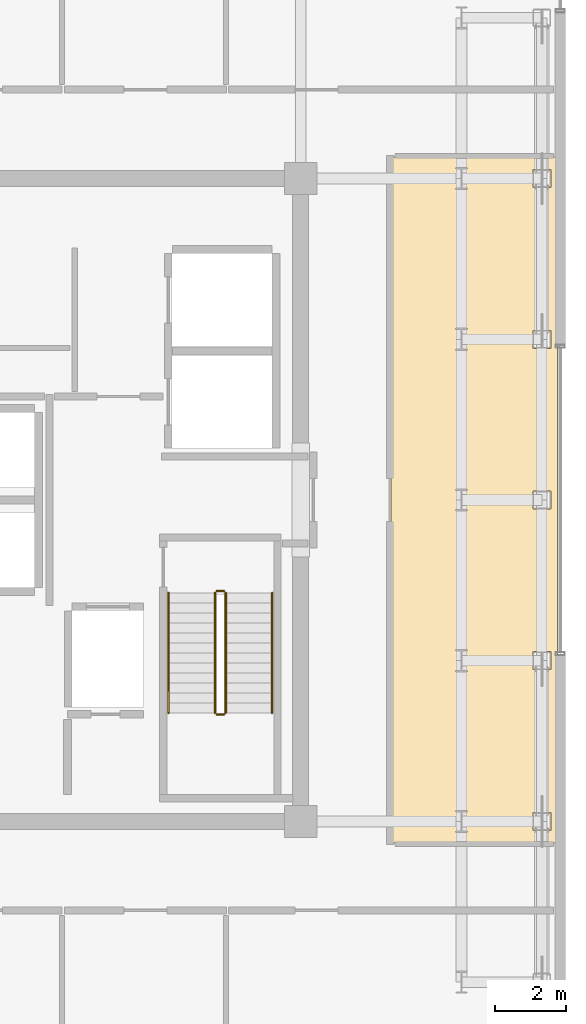
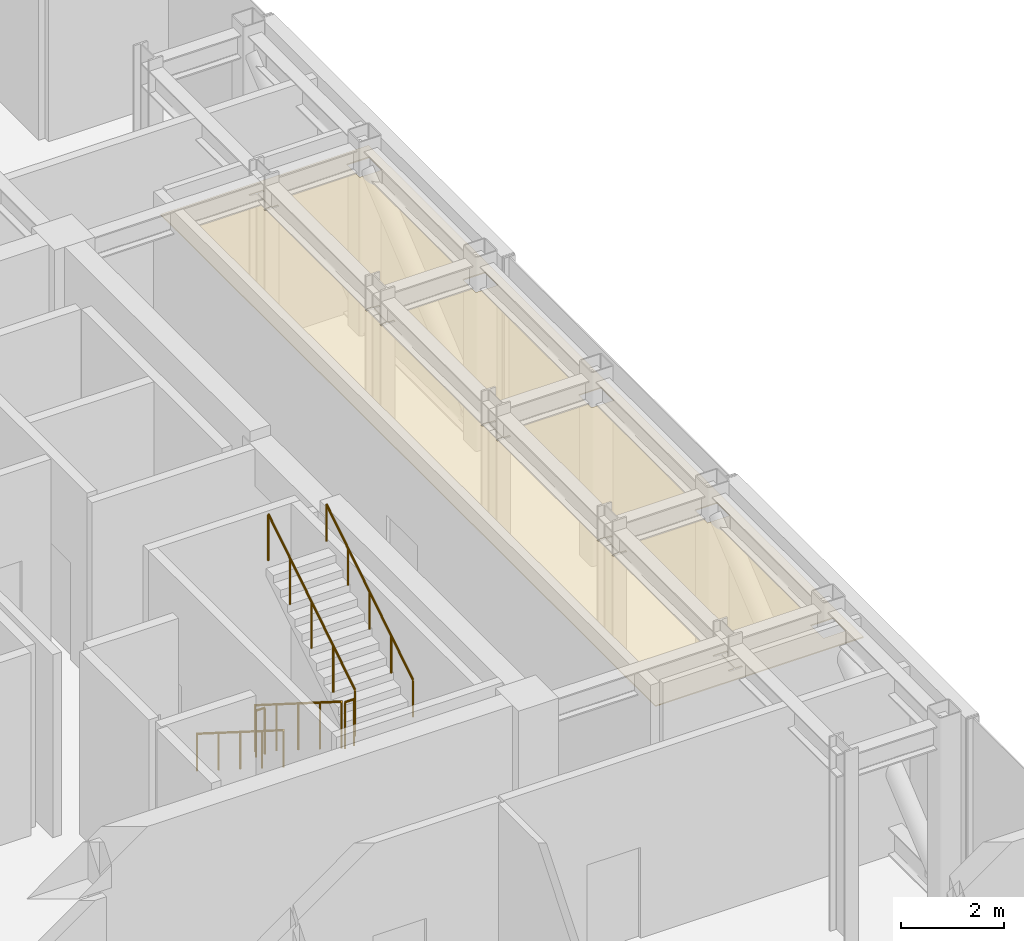
# One storey, part 18 of 18: 6 railings, 1 covering.
"""IFC4 building model written with IfcOpenShell, lengths in metres."""

from ifc_helpers import new_model, si_unit, direction, frame, origin, origin_2d, place, context, subcontext, project, spatial, polyline, circle, outline, extrude, material, layer, layer_set, type_object, element, save


model = new_model("IFC4")

# Units and contexts
model_context = context("Model", 3, precision=1e-05, world=origin(), true_north=direction((0.0, 1.0)))
body_context = subcontext(model_context, "Body", "Model", "MODEL_VIEW")
ifc_project = project(units=[si_unit("LENGTHUNIT", "METRE"), si_unit("AREAUNIT", "SQUARE_METRE"), si_unit("VOLUMEUNIT", "CUBIC_METRE"), si_unit("PLANEANGLEUNIT", "RADIAN"), si_unit("MASSUNIT", "GRAM", prefix="KILO")], contexts=[model_context])

# Site, building, storey
site_placement = place(None, origin())
site = spatial("IfcSite", under=ifc_project, at=site_placement, CompositionType="ELEMENT")
building_placement = place(site_placement, origin())
building = spatial("IfcBuilding", under=site, at=building_placement, Name="Nefas-Gora Pilgrimage Tower", CompositionType="ELEMENT")
storey_placement = place(building_placement, frame((0.0, 0.0, 317.800048828125)))
storey = spatial("IfcBuildingStorey", under=building, at=storey_placement, Name="L80", CompositionType="ELEMENT", Elevation=317.800048828125)

# Covering
ifc_material_1 = material(Name="Perforated gypsum acoustic ceiling")
ifc_layer = layer(ifc_material_1, 0.02490234375)
ifc_layer_set = layer_set([ifc_layer], Name="Perforated gypsum acoustic ceiling")
covering_type = type_object("IfcCoveringType", Name="COV-CEIL-ACOUST", PredefinedType="CEILING", material=ifc_layer_set)
covering_placement = place(storey_placement, frame((0.0, 0.0, 3.7548828125)))
element("IfcCovering", 1, at=covering_placement, inside=storey, type_object=covering_type, Name="L80 Acoustic Suspended Ceiling (Refuge Area East)", PredefinedType="CEILING", context=body_context, shape_type="SweptSolid", body=[
    extrude(outline(polyline([(18.43994140625, -9.60009765625), (18.43994140625, 9.60009765625), (13.780029296875, 9.60009765625), (13.780029296875, -9.60009765625), (18.43994140625, -9.60009765625)]), holes=[polyline([(18.251953125, -8.748046875), (18.251953125, -9.251953125), (17.748046875, -9.251953125), (17.748046875, -8.748046875), (18.251953125, -8.748046875)]), polyline([(18.251953125, -4.248046875), (18.251953125, -4.751953125), (17.748046875, -4.751953125), (17.748046875, -4.248046875), (18.251953125, -4.248046875)]), polyline([(18.251953125, 0.251953125), (18.251953125, -0.251953125), (17.748046875, -0.251953125), (17.748046875, 0.251953125), (18.251953125, 0.251953125)]), polyline([(18.251953125, 4.751953125), (18.251953125, 4.248046875), (17.748046875, 4.248046875), (17.748046875, 4.751953125), (18.251953125, 4.751953125)]), polyline([(18.251953125, 9.251953125), (18.251953125, 8.748046875), (17.748046875, 8.748046875), (17.748046875, 9.251953125), (18.251953125, 9.251953125)]), polyline([(15.595458984375, -8.68798828125), (15.904541015625, -8.68798828125), (15.904541015625, -8.73193359375), (15.762451171875, -8.73193359375), (15.762451171875, -9.26806640625), (15.904541015625, -9.26806640625), (15.904541015625, -9.31201171875), (15.595458984375, -9.31201171875), (15.595458984375, -9.26806640625), (15.737548828125, -9.26806640625), (15.737548828125, -8.73193359375), (15.595458984375, -8.73193359375), (15.595458984375, -8.68798828125)]), polyline([(15.904541015625, -4.18798828125), (15.904541015625, -4.23193359375), (15.762451171875, -4.23193359375), (15.762451171875, -4.76806640625), (15.904541015625, -4.76806640625), (15.904541015625, -4.81201171875), (15.595458984375, -4.81201171875), (15.595458984375, -4.76806640625), (15.737548828125, -4.76806640625), (15.737548828125, -4.23193359375), (15.595458984375, -4.23193359375), (15.595458984375, -4.18798828125), (15.904541015625, -4.18798828125)]), polyline([(15.904541015625, 0.31201171875), (15.904541015625, 0.26806640625), (15.762451171875, 0.26806640625), (15.762451171875, -0.26806640625), (15.904541015625, -0.26806640625), (15.904541015625, -0.31201171875), (15.595458984375, -0.31201171875), (15.595458984375, -0.26806640625), (15.737548828125, -0.26806640625), (15.737548828125, 0.26806640625), (15.595458984375, 0.26806640625), (15.595458984375, 0.31201171875), (15.904541015625, 0.31201171875)]), polyline([(15.595458984375, 4.81201171875), (15.904541015625, 4.81201171875), (15.904541015625, 4.76806640625), (15.762451171875, 4.76806640625), (15.762451171875, 4.23193359375), (15.904541015625, 4.23193359375), (15.904541015625, 4.18798828125), (15.595458984375, 4.18798828125), (15.595458984375, 4.23193359375), (15.737548828125, 4.23193359375), (15.737548828125, 4.76806640625), (15.595458984375, 4.76806640625), (15.595458984375, 4.81201171875)]), polyline([(15.904541015625, 9.31201171875), (15.904541015625, 9.26806640625), (15.762451171875, 9.26806640625), (15.762451171875, 8.73193359375), (15.904541015625, 8.73193359375), (15.904541015625, 8.68798828125), (15.595458984375, 8.68798828125), (15.595458984375, 8.73193359375), (15.737548828125, 8.73193359375), (15.737548828125, 9.26806640625), (15.595458984375, 9.26806640625), (15.595458984375, 9.31201171875), (15.904541015625, 9.31201171875)])]), origin(), (0.0, 0.0, 1.0), 0.025146484375),
])

# Railings
ifc_material_2 = material(Name="Painted galvanised steel", Category="steel")
railing_type_1 = type_object("IfcRailingType", Name="RLG-STR-GUARD-1100", PredefinedType="GUARDRAIL", material=ifc_material_2)
railing_1_placement = place(storey_placement, frame((8.85009765625, -2.60009765625, 0.1767578125)))
element("IfcRailing", 2, at=railing_1_placement, inside=storey, type_object=railing_type_1, Name="L80 ST-02 stair guard 1", PredefinedType="GUARDRAIL", context=body_context, shape_type="SweptSolid", body=[
    extrude(circle(Radius=0.02392578125, at=origin_2d()), frame((0.0, 0.0, 1.09619140625), z_axis=(0.0, -0.845344368971, 0.534221768416), x_axis=(1.0, 0.0, 0.0)), (0.0, 0.0, 1.0), 3.974609375),
    extrude(circle(Radius=0.02099609375, at=origin_2d()), origin(), (0.0, 0.0, 1.0), 1.072021484375),
    extrude(circle(Radius=0.02099609375, at=origin_2d()), frame((0.0, -0.83984375, 0.53076171875)), (0.0, 0.0, 1.0), 1.072021484375),
    extrude(circle(Radius=0.02099609375, at=origin_2d()), frame((0.0, -1.679931640625, 1.0615234375)), (0.0, 0.0, 1.0), 1.072021484375),
    extrude(circle(Radius=0.02099609375, at=origin_2d()), frame((0.0, -2.52001953125, 1.592529296875)), (0.0, 0.0, 1.0), 1.072021484375),
    extrude(circle(Radius=0.02099609375, at=origin_2d()), frame((0.0, -3.35986328125, 2.123291015625)), (0.0, 0.0, 1.0), 1.072021484375),
])
railing_2_placement = place(storey_placement, frame((8.89990234375, -6.010009765625, 2.300048828125)))
element("IfcRailing", 3, at=railing_2_placement, inside=storey, type_object=railing_type_1, Name="L80 ST-02 stair guard 2", PredefinedType="GUARDRAIL", context=body_context, shape_type="SweptSolid", body=[
    extrude(circle(Radius=0.02392578125, at=origin_2d()), frame((0.0, 0.0, 1.09619140625), z_axis=(1.0, 0.0, 0.0), x_axis=(0.0, 1.0, 0.0)), (0.0, 0.0, 1.0), 0.2001953125),
    extrude(circle(Radius=0.02099609375, at=origin_2d()), origin(), (0.0, 0.0, 1.0), 1.072021484375),
    extrude(circle(Radius=0.02099609375, at=origin_2d()), frame((0.2001953125, 0.0, 0.0)), (0.0, 0.0, 1.0), 1.072021484375),
])
railing_3_placement = place(storey_placement, frame((9.14990234375, -5.9599609375, 2.476806640625)))
element("IfcRailing", 4, at=railing_3_placement, inside=storey, type_object=railing_type_1, Name="L80 ST-02 stair guard 3", PredefinedType="GUARDRAIL", context=body_context, shape_type="SweptSolid", body=[
    extrude(circle(Radius=0.02392578125, at=origin_2d()), frame((0.0, 0.0, 1.09619140625), z_axis=(0.0, 0.845372108799, 0.534177870812), x_axis=(-1.0, 0.0, 0.0)), (0.0, 0.0, 1.0), 3.974365234375),
    extrude(circle(Radius=0.02099609375, at=origin_2d()), origin(), (0.0, 0.0, 1.0), 1.072021484375),
    extrude(circle(Radius=0.02099609375, at=origin_2d()), frame((0.0, 0.83984375, 0.53076171875)), (0.0, 0.0, 1.0), 1.072021484375),
    extrude(circle(Radius=0.02099609375, at=origin_2d()), frame((0.0, 1.679931640625, 1.0615234375)), (0.0, 0.0, 1.0), 1.072021484375),
    extrude(circle(Radius=0.02099609375, at=origin_2d()), frame((0.0, 2.52001953125, 1.59228515625)), (0.0, 0.0, 1.0), 1.072021484375),
    extrude(circle(Radius=0.02099609375, at=origin_2d()), frame((0.0, 3.35986328125, 2.123046875)), (0.0, 0.0, 1.0), 1.072021484375),
])
railing_4_placement = place(storey_placement, frame((8.89990234375, -2.550048828125, 0.0)))
element("IfcRailing", 5, at=railing_4_placement, inside=storey, type_object=railing_type_1, Name="L80 ST-02 stair guard 4", PredefinedType="GUARDRAIL", context=body_context, shape_type="SweptSolid", body=[
    extrude(circle(Radius=0.02392578125, at=origin_2d()), frame((0.0, 0.0, 1.09619140625), z_axis=(1.0, 0.0, 0.0), x_axis=(0.0, 1.0, 0.0)), (0.0, 0.0, 1.0), 0.2001953125),
    extrude(circle(Radius=0.02099609375, at=origin_2d()), origin(), (0.0, 0.0, 1.0), 1.072021484375),
    extrude(circle(Radius=0.02099609375, at=origin_2d()), frame((0.2001953125, 0.0, 0.0)), (0.0, 0.0, 1.0), 1.072021484375),
])
ifc_material_3 = material(Name="Brushed stainless steel", Category="steel")
railing_type_2 = type_object("IfcRailingType", Name="RLG-STR-HAND-900", PredefinedType="HANDRAIL", material=ifc_material_3)
railing_5_placement = place(storey_placement, frame((7.550048828125, -2.60009765625, 0.1767578125)))
element("IfcRailing", 6, at=railing_5_placement, inside=storey, type_object=railing_type_2, Name="L80 ST-02 stair handrail 1", PredefinedType="HANDRAIL", context=body_context, shape_type="SweptSolid", body=[
    extrude(circle(Radius=0.02392578125, at=origin_2d()), frame((0.0, 0.0, 0.8759765625), z_axis=(0.0, -0.845344368971, 0.534221768416), x_axis=(1.0, 0.0, 0.0)), (0.0, 0.0, 1.0), 3.974609375),
    extrude(circle(Radius=0.02099609375, at=origin_2d()), origin(), (0.0, 0.0, 1.0), 0.851806640625),
    extrude(circle(Radius=0.02099609375, at=origin_2d()), frame((0.0, -0.83984375, 0.53076171875)), (0.0, 0.0, 1.0), 0.851806640625),
    extrude(circle(Radius=0.02099609375, at=origin_2d()), frame((0.0, -1.679931640625, 1.0615234375)), (0.0, 0.0, 1.0), 0.851806640625),
    extrude(circle(Radius=0.02099609375, at=origin_2d()), frame((0.0, -2.52001953125, 1.592529296875)), (0.0, 0.0, 1.0), 0.851806640625),
    extrude(circle(Radius=0.02099609375, at=origin_2d()), frame((0.0, -3.35986328125, 2.123291015625)), (0.0, 0.0, 1.0), 0.851806640625),
])
railing_6_placement = place(storey_placement, frame((10.449951171875, -5.9599609375, 2.476806640625)))
element("IfcRailing", 7, at=railing_6_placement, inside=storey, type_object=railing_type_2, Name="L80 ST-02 stair handrail 2", PredefinedType="HANDRAIL", context=body_context, shape_type="SweptSolid", body=[
    extrude(circle(Radius=0.02392578125, at=origin_2d()), frame((0.0, 0.0, 0.8759765625), z_axis=(0.0, 0.845372108799, 0.534177870812), x_axis=(-1.0, 0.0, 0.0)), (0.0, 0.0, 1.0), 3.974365234375),
    extrude(circle(Radius=0.02099609375, at=origin_2d()), origin(), (0.0, 0.0, 1.0), 0.851806640625),
    extrude(circle(Radius=0.02099609375, at=origin_2d()), frame((0.0, 0.83984375, 0.53076171875)), (0.0, 0.0, 1.0), 0.851806640625),
    extrude(circle(Radius=0.02099609375, at=origin_2d()), frame((0.0, 1.679931640625, 1.0615234375)), (0.0, 0.0, 1.0), 0.851806640625),
    extrude(circle(Radius=0.02099609375, at=origin_2d()), frame((0.0, 2.52001953125, 1.59228515625)), (0.0, 0.0, 1.0), 0.851806640625),
    extrude(circle(Radius=0.02099609375, at=origin_2d()), frame((0.0, 3.35986328125, 2.123046875)), (0.0, 0.0, 1.0), 0.851806640625),
])

save(model, "model.ifc")
